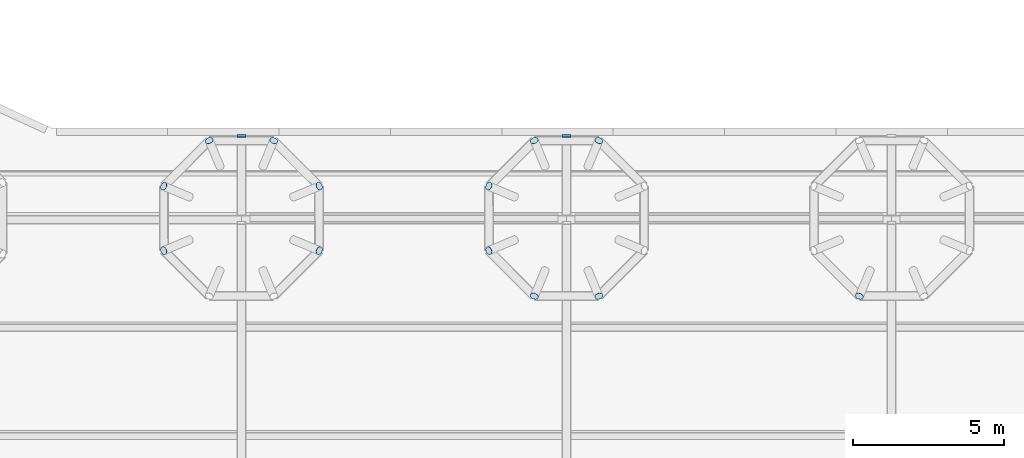
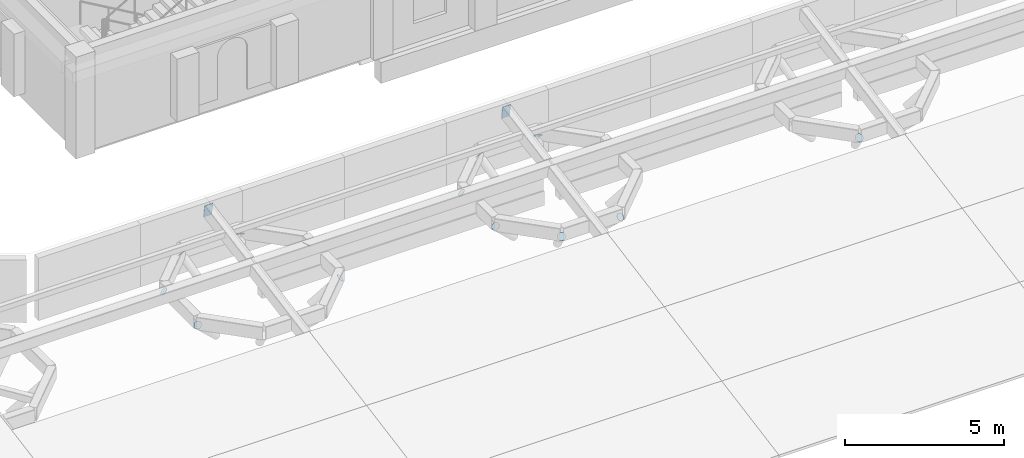
# One storey, part 18 of 32: 15 plates.
"""IFC4 building model written with IfcOpenShell, lengths in metres."""

from ifc_helpers import new_model, si_unit, direction, frame, origin, origin_2d, place, context, subcontext, project, spatial, rectangle, circle, extrude, material, material_profile, profile_set, type_object, element, save


model = new_model("IFC4")

# Units and contexts
model_context = context("Model", 3, precision=1e-05, world=origin(), true_north=direction((0.0, 1.0)))
body_context = subcontext(model_context, "Body", "Model", "MODEL_VIEW")
ifc_project = project(units=[si_unit("LENGTHUNIT", "METRE"), si_unit("AREAUNIT", "SQUARE_METRE"), si_unit("VOLUMEUNIT", "CUBIC_METRE"), si_unit("PLANEANGLEUNIT", "RADIAN"), si_unit("MASSUNIT", "GRAM", prefix="KILO")], contexts=[model_context])

# Site, building, storey
site_placement = place(None, origin())
site = spatial("IfcSite", under=ifc_project, at=site_placement, CompositionType="ELEMENT")
building_placement = place(site_placement, origin())
building = spatial("IfcBuilding", under=site, at=building_placement, Name="Magnolia Steps Interchange", CompositionType="ELEMENT")
storey_placement = place(building_placement, frame((0.0, 0.0, 16.5)))
storey = spatial("IfcBuildingStorey", under=building, at=storey_placement, Name="L04", CompositionType="ELEMENT", Elevation=16.5)

# Plates
ifc_material_1 = material(Name="Steel Q355B", Category="steel")
ifc_material_profile_1 = material_profile(ifc_material_1, circle(Radius=0.136474609375, at=origin_2d()), Name="End plate CHS273x14")
ifc_profile_set_1 = profile_set([ifc_material_profile_1], Name="Steel Q355B")
plate_type_1 = type_object("IfcPlateType", Name="End plate CHS273x14", PredefinedType="SHEET", material=ifc_profile_set_1)
for number, where, z_axis, x_axis, name in (
    (1, (66.580078125, 86.668701171875, 1.401123046875), (0.664583318381, 0.275279424158, 0.694658370398), (-0.382683432789, 0.923879532336, 0.0), "End plate Tree rib"),
    (2, (65.068603515625, 88.179931640625, 1.401123046875), (0.275279424158, 0.664583318381, 0.694658370398), (-0.923879532336, 0.382683432789, 0.0), "End plate Tree rib"),
    (3, (62.931396484375, 88.179931640625, 1.401123046875), (-0.275279424158, 0.664583318381, 0.694658370398), (-0.923879532336, -0.382683432789, 0.0), "End plate Tree rib"),
    (4, (61.419921875, 86.668701171875, 1.401123046875), (-0.664583318381, 0.275279424158, 0.694658370398), (-0.382683432789, -0.923879532336, 0.0), "End plate Tree rib"),
    (5, (61.419921875, 84.53125, 1.401123046875), (-0.664583318381, -0.275279424158, 0.694658370398), (0.382683432789, -0.923879532336, 0.0), "End plate Tree rib"),
    (6, (66.580078125, 84.53125, 1.401123046875), (0.664583318381, -0.275279424158, 0.694658370398), (0.382683432789, 0.923879532336, 0.0), "End plate Tree rib"),
    (7, (75.86865234375, 88.179931640625, 1.401123046875), (0.275279424158, 0.664583318381, 0.694658370398), (-0.923879532336, 0.382683432789, 0.0), "End plate Tree rib"),
    (8, (73.731201171875, 88.179931640625, 1.401123046875), (-0.275279424158, 0.664583318381, 0.694658370398), (-0.923879532336, -0.382683432789, 0.0), "End plate Tree rib"),
    (9, (72.219970703125, 86.668701171875, 1.401123046875), (-0.664583318381, 0.275279424158, 0.694658370398), (-0.382683432789, -0.923879532336, 0.0), "End plate Tree rib"),
    (10, (72.219970703125, 84.53125, 1.401123046875), (-0.664583318381, -0.275279424158, 0.694658370398), (0.382683432789, -0.923879532336, 0.0), "End plate Tree rib"),
    (11, (73.731201171875, 83.02001953125, 1.401123046875), (-0.275279424158, -0.664583318381, 0.694658370398), (0.923879532336, -0.382683432789, 0.0), "End plate Tree rib"),
    (12, (75.86865234375, 83.02001953125, 1.401123046875), (0.275279424158, -0.664583318381, 0.694658370398), (0.923879532336, 0.382683432789, 0.0), "End plate Tree rib"),
    (13, (84.53125, 83.02001953125, 1.401123046875), (-0.275279424158, -0.664583318381, 0.694658370398), (0.923879532336, -0.382683432789, 0.0), "End plate Tree rib"),
):
    element("IfcPlate", number, at=place(storey_placement, frame(where, z_axis=z_axis, x_axis=x_axis)), inside=storey, type_object=plate_type_1, Name=name, PredefinedType="SHEET", context=body_context, shape_type="SweptSolid", body=[
        extrude(circle(Radius=0.136474609375, at=origin_2d()), origin(), (0.0, 0.0, 1.0), 0.008056640625),
    ])
ifc_material_2 = material(Name="Steel Q355B", Category="steel")
ifc_material_profile_2 = material_profile(ifc_material_2, rectangle(XDim=0.300048828125, YDim=0.5, at=origin_2d()), Name="End plate RHS500x300x16")
ifc_profile_set_2 = profile_set([ifc_material_profile_2], Name="Steel Q355B")
plate_type_2 = type_object("IfcPlateType", Name="End plate RHS500x300x16", PredefinedType="SHEET", material=ifc_profile_set_2)
for number, where, z_axis, x_axis, name in (
    (14, (64.0, 88.340087890625, 2.5966796875), (0.0, 0.983682817222, 0.179911409041), (-1.0, 0.0, 0.0), "End plate Roof beam"),
    (15, (74.800048828125, 88.340087890625, 2.5966796875), (0.0, 0.983682817222, 0.179911409041), (-1.0, 0.0, 0.0), "End plate Roof beam"),
):
    element("IfcPlate", number, at=place(storey_placement, frame(where, z_axis=z_axis, x_axis=x_axis)), inside=storey, type_object=plate_type_2, Name=name, PredefinedType="SHEET", context=body_context, shape_type="SweptSolid", body=[
        extrude(rectangle(XDim=0.300048828125, YDim=0.5, at=origin_2d()), origin(), (0.0, 0.0, 1.0), 0.008056640625),
    ])

save(model, "model.ifc")
